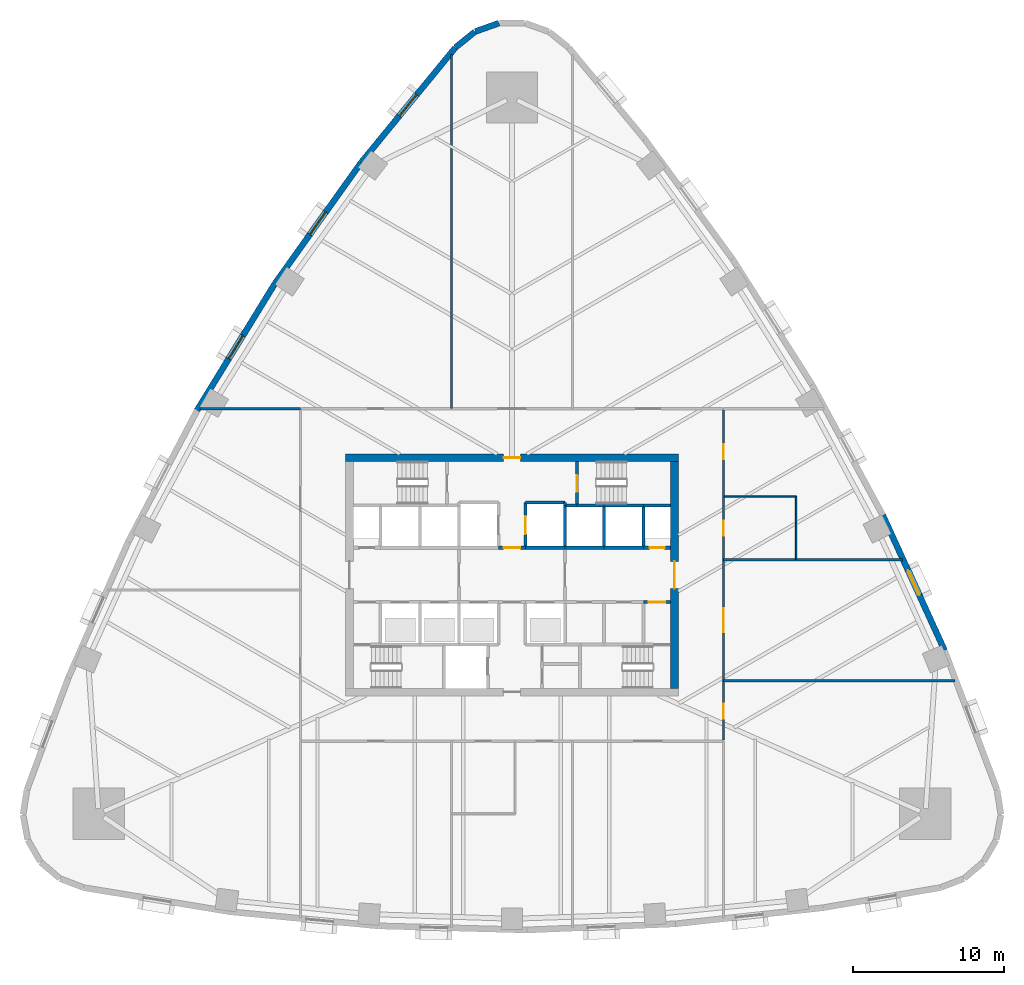
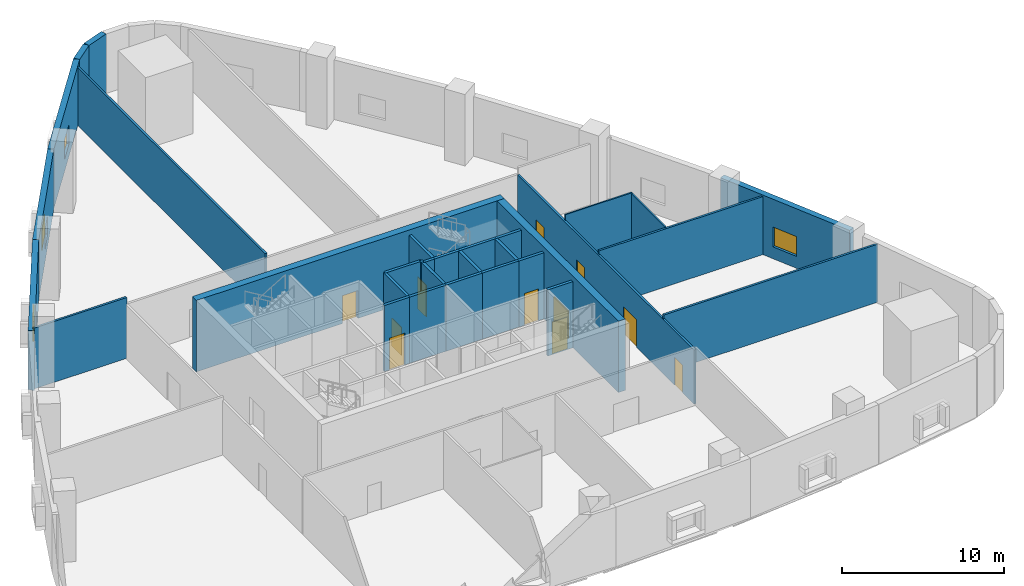
# One storey, part 5 of 11: 32 walls, 11 doors, 4 windows, 15 openings.
"""IFC4 building model written with IfcOpenShell, lengths in metres."""

from ifc_helpers import new_model, si_unit, direction, frame, frame_2d, origin, place, context, subcontext, project, spatial, rectangle, extrude, material, layer, layer_set, type_object, element, fill, save


model = new_model("IFC4")

# Units and contexts
model_context = context("Model", 3, precision=1e-05, world=origin(), true_north=direction((0.0, 1.0)))
body_context = subcontext(model_context, "Body", "Model", "MODEL_VIEW")
ifc_project = project(units=[si_unit("LENGTHUNIT", "METRE"), si_unit("AREAUNIT", "SQUARE_METRE"), si_unit("VOLUMEUNIT", "CUBIC_METRE"), si_unit("PLANEANGLEUNIT", "RADIAN"), si_unit("MASSUNIT", "GRAM", prefix="KILO")], contexts=[model_context])

# Site, building, storey
site_placement = place(None, origin())
site = spatial("IfcSite", under=ifc_project, at=site_placement, CompositionType="ELEMENT")
building_placement = place(site_placement, origin())
building = spatial("IfcBuilding", under=site, at=building_placement, Name="Sierra Prisma Convention Tower", CompositionType="ELEMENT")
storey_placement = place(building_placement, frame((0.0, 0.0, 28.800048828125)))
storey = spatial("IfcBuildingStorey", under=building, at=storey_placement, Name="L04", CompositionType="ELEMENT", Elevation=28.800048828125)

# Walls
ifc_material_1 = material(Name="Gypsum board partition", Category="gypsum")
ifc_layer_1 = layer(ifc_material_1, 0.10009765625)
ifc_layer_set_1 = layer_set([ifc_layer_1], Name="Bathroom partition 100")
wall_type_1 = type_object("IfcWallType", Name="Bathroom partition 100", PredefinedType="PARTITIONING", material=ifc_layer_set_1)
wall_1_placement = place(storey_placement, frame((14.030029296875, 5.199951171875, 0.0), z_axis=(0.0, 0.0, 1.0), x_axis=(1.0, 0.0, 0.0)))
element("IfcWall", 1, at=wall_1_placement, inside=storey, type_object=wall_type_1, Name="Partition L04 bath 3", PredefinedType="PARTITIONING", context=body_context, shape_type="SweptSolid", body=[
    extrude(rectangle(XDim=4.77001953125, YDim=0.10009765625, at=frame_2d((2.385009765625, 0.0))), origin(), (0.0, 0.0, 1.0), 4.54296875),
])
wall_2_placement = place(storey_placement, frame((18.800048828125, 5.199951171875, 0.0), z_axis=(0.0, 0.0, 1.0), x_axis=(0.0, -1.0, 0.0)))
element("IfcWall", 2, at=wall_2_placement, inside=storey, type_object=wall_type_1, Name="Partition L04 bath 4", PredefinedType="PARTITIONING", context=body_context, shape_type="SweptSolid", body=[
    extrude(rectangle(XDim=4.169921875, YDim=0.10009765625, at=frame_2d((2.0849609375, 0.0))), origin(), (0.0, 0.0, 1.0), 4.467041015625),
])

# Wall, opening, door
ifc_material_2 = material(Name="Concrete C30/37", Category="concrete")
ifc_layer_2 = layer(ifc_material_2, 0.199951171875)
ifc_layer_set_2 = layer_set([ifc_layer_2], Name="Core wall RC 200 C30/37")
wall_type_2 = type_object("IfcWallType", Name="Core wall RC 200 C30/37", PredefinedType="SOLIDWALL", material=ifc_layer_set_2)
wall_3_placement = place(storey_placement, frame((0.89990234375, 1.800048828125, 0.0), z_axis=(0.0, 0.0, 1.0), x_axis=(-1.0, 0.0, 0.0)))
wall_3 = element("IfcWall", 3, at=wall_3_placement, inside=storey, type_object=wall_type_2, Name="Core wall L04 34", PredefinedType="SOLIDWALL", context=body_context, shape_type="SweptSolid", body=[
    extrude(rectangle(XDim=1.7998046875, YDim=0.199951171875, at=frame_2d((0.89990234375, 0.0))), origin(), (0.0, 0.0, 1.0), 5.0),
])
opening_1_placement = place(wall_3_placement, frame((0.35009765625, 0.0, 0.0)))
opening_1 = element("IfcOpeningElement", 4, at=opening_1_placement, cuts=wall_3, Name="Opening L04-D012", PredefinedType="OPENING", context=body_context, shape_type="SweptSolid", body=[
    extrude(rectangle(XDim=1.10009765625, YDim=2.39990234375, at=frame_2d((0.550048828125, 1.199951171875))), frame((0.0, 0.10009765625, 0.0), z_axis=(0.0, -1.0, 0.0), x_axis=(1.0, 0.0, 0.0)), (0.0, 0.0, 1.0), 0.199951171875),
])
ifc_material_3 = material(Name="Steel fire door leaf", Category="steel")
door_type_1 = type_object("IfcDoorType", Name="Door 1100x2400 FD60S", OperationType="SINGLE_SWING_LEFT", PredefinedType="DOOR", material=ifc_material_3)
door_1_placement = place(opening_1_placement, origin())
door_1 = element("IfcDoor", 5, at=door_1_placement, inside=storey, type_object=door_type_1, Name="Door L04 25", OperationType="SINGLE_SWING_LEFT", OverallHeight=2.39990234375, OverallWidth=1.10009765625, PredefinedType="DOOR", context=body_context, shape_type="SweptSolid", body=[
    extrude(rectangle(XDim=1.10009765625, YDim=2.39990234375, at=frame_2d((0.550048828125, 1.199951171875))), frame((0.0, 0.02490234375, 0.0), z_axis=(0.0, -1.0, 0.0), x_axis=(1.0, 0.0, 0.0)), (0.0, 0.0, 1.0), 0.050048828125),
])
fill(opening_1, door_1)

# Walls
wall_4_placement = place(storey_placement, frame((3.5, 1.800048828125, 0.0), z_axis=(0.0, 0.0, 1.0), x_axis=(-1.0, 0.0, 0.0)))
element("IfcWall", 6, at=wall_4_placement, inside=storey, type_object=wall_type_2, Name="Core wall L04 38", PredefinedType="SOLIDWALL", context=body_context, shape_type="SweptSolid", body=[
    extrude(rectangle(XDim=2.60009765625, YDim=0.199951171875, at=frame_2d((1.300048828125, 0.0))), origin(), (0.0, 0.0, 1.0), 5.0),
])
wall_5_placement = place(storey_placement, frame((3.5, 4.60009765625, 0.0), z_axis=(0.0, 0.0, 1.0), x_axis=(0.0, 1.0, 0.0)))
element("IfcWall", 7, at=wall_5_placement, inside=storey, type_object=wall_type_2, Name="Core wall L04 39", PredefinedType="SOLIDWALL", context=body_context, shape_type="SweptSolid", body=[
    extrude(rectangle(XDim=0.199951171875, YDim=0.199951171875, at=frame_2d((0.10009765625, 0.0))), origin(), (0.0, 0.0, 1.0), 5.0),
])
wall_6_placement = place(storey_placement, frame((3.5, 4.800048828125, 0.0), z_axis=(0.0, 0.0, 1.0), x_axis=(-1.0, 0.0, 0.0)))
element("IfcWall", 8, at=wall_6_placement, inside=storey, type_object=wall_type_2, Name="Core wall L04 40", PredefinedType="SOLIDWALL", context=body_context, shape_type="SweptSolid", body=[
    extrude(rectangle(XDim=2.60009765625, YDim=0.199951171875, at=frame_2d((1.300048828125, 0.0))), origin(), (0.0, 0.0, 1.0), 5.0),
])

# Wall, opening, door
wall_7_placement = place(storey_placement, frame((0.89990234375, 4.800048828125, 0.0), z_axis=(0.0, 0.0, 1.0), x_axis=(0.0, -1.0, 0.0)))
wall_7 = element("IfcWall", 9, at=wall_7_placement, inside=storey, type_object=wall_type_2, Name="Core wall L04 41", PredefinedType="SOLIDWALL", context=body_context, shape_type="SweptSolid", body=[
    extrude(rectangle(XDim=3.0, YDim=0.199951171875, at=frame_2d((1.5, 0.0))), origin(), (0.0, 0.0, 1.0), 5.0),
])
opening_2_placement = place(wall_7_placement, frame((0.89990234375, 0.0, 0.0)))
opening_2 = element("IfcOpeningElement", 10, at=opening_2_placement, cuts=wall_7, Name="Opening L04-D006", PredefinedType="OPENING", context=body_context, shape_type="SweptSolid", body=[
    extrude(rectangle(XDim=1.199951171875, YDim=2.10009765625, at=frame_2d((0.60009765625, 1.050048828125))), frame((0.0, 0.10009765625, 0.0), z_axis=(0.0, -1.0, 0.0), x_axis=(1.0, 0.0, 0.0)), (0.0, 0.0, 1.0), 0.199951171875),
])
ifc_material_4 = material(Name="Steel fire door leaf", Category="steel")
door_type_2 = type_object("IfcDoorType", Name="Door 1200x2100 EI 90 sliding lift landing", OperationType="SLIDING_TO_LEFT", PredefinedType="DOOR", material=ifc_material_4)
door_2_placement = place(opening_2_placement, origin())
door_2 = element("IfcDoor", 11, at=door_2_placement, inside=storey, type_object=door_type_2, Name="Door L04 19", OperationType="SLIDING_TO_RIGHT", OverallHeight=2.10009765625, OverallWidth=1.199951171875, PredefinedType="DOOR", context=body_context, shape_type="SweptSolid", body=[
    extrude(rectangle(XDim=1.199951171875, YDim=2.10009765625, at=frame_2d((0.60009765625, 1.050048828125))), frame((0.0, 0.02490234375, 0.0), z_axis=(0.0, -1.0, 0.0), x_axis=(1.0, 0.0, 0.0)), (0.0, 0.0, 1.0), 0.050048828125),
])
fill(opening_2, door_2)

# Walls
wall_8_placement = place(storey_placement, frame((6.10009765625, 1.800048828125, 0.0), z_axis=(0.0, 0.0, 1.0), x_axis=(-1.0, 0.0, 0.0)))
element("IfcWall", 12, at=wall_8_placement, inside=storey, type_object=wall_type_2, Name="Core wall L04 50", PredefinedType="SOLIDWALL", context=body_context, shape_type="SweptSolid", body=[
    extrude(rectangle(XDim=2.60009765625, YDim=0.199951171875, at=frame_2d((1.300048828125, 0.0))), origin(), (0.0, 0.0, 1.0), 5.0),
])
wall_9_placement = place(storey_placement, frame((3.5, 1.800048828125, 0.0), z_axis=(0.0, 0.0, 1.0), x_axis=(0.0, 1.0, 0.0)))
element("IfcWall", 13, at=wall_9_placement, inside=storey, type_object=wall_type_2, Name="Core wall L04 51", PredefinedType="SOLIDWALL", context=body_context, shape_type="SweptSolid", body=[
    extrude(rectangle(XDim=2.800048828125, YDim=0.199951171875, at=frame_2d((1.39990234375, 0.0))), origin(), (0.0, 0.0, 1.0), 5.0),
])
wall_10_placement = place(storey_placement, frame((4.300048828125, 4.60009765625, 0.0), z_axis=(0.0, 0.0, 1.0), x_axis=(-1.0, 0.0, 0.0)))
element("IfcWall", 14, at=wall_10_placement, inside=storey, type_object=wall_type_2, Name="Core wall L04 52", PredefinedType="SOLIDWALL", context=body_context, shape_type="SweptSolid", body=[
    extrude(rectangle(XDim=0.800048828125, YDim=0.199951171875, at=frame_2d((0.39990234375, 0.0))), origin(), (0.0, 0.0, 1.0), 5.0),
])
wall_11_placement = place(storey_placement, frame((6.10009765625, 4.60009765625, 0.0), z_axis=(0.0, 0.0, 1.0), x_axis=(-1.0, 0.0, 0.0)))
element("IfcWall", 15, at=wall_11_placement, inside=storey, type_object=wall_type_2, Name="Core wall L04 53", PredefinedType="SOLIDWALL", context=body_context, shape_type="SweptSolid", body=[
    extrude(rectangle(XDim=1.800048828125, YDim=0.199951171875, at=frame_2d((0.89990234375, 0.0))), origin(), (0.0, 0.0, 1.0), 5.0),
])

# Wall, opening, door
wall_12_placement = place(storey_placement, frame((4.300048828125, 7.5, 0.0), z_axis=(0.0, 0.0, 1.0), x_axis=(0.0, -1.0, 0.0)))
wall_12 = element("IfcWall", 16, at=wall_12_placement, inside=storey, type_object=wall_type_2, Name="Core wall L04 54", PredefinedType="SOLIDWALL", context=body_context, shape_type="SweptSolid", body=[
    extrude(rectangle(XDim=2.89990234375, YDim=0.199951171875, at=frame_2d((1.449951171875, 0.0))), origin(), (0.0, 0.0, 1.0), 5.0),
])
opening_3_placement = place(wall_12_placement, frame((0.89990234375, 0.0, 0.0)))
opening_3 = element("IfcOpeningElement", 17, at=opening_3_placement, cuts=wall_12, Name="Opening L04-D019", PredefinedType="OPENING", context=body_context, shape_type="SweptSolid", body=[
    extrude(rectangle(XDim=1.10009765625, YDim=2.39990234375, at=frame_2d((0.550048828125, 1.199951171875))), frame((0.0, 0.10009765625, 0.0), z_axis=(0.0, -1.0, 0.0), x_axis=(1.0, 0.0, 0.0)), (0.0, 0.0, 1.0), 0.199951171875),
])
ifc_material_5 = material(Name="Steel fire door leaf", Category="steel")
door_type_3 = type_object("IfcDoorType", Name="Door 1100x2400 FD90S", OperationType="SINGLE_SWING_LEFT", PredefinedType="DOOR", material=ifc_material_5)
door_3_placement = place(opening_3_placement, origin())
door_3 = element("IfcDoor", 18, at=door_3_placement, inside=storey, type_object=door_type_3, Name="Door L04 32", OperationType="SINGLE_SWING_RIGHT", OverallHeight=2.39990234375, OverallWidth=1.10009765625, PredefinedType="DOOR", context=body_context, shape_type="SweptSolid", body=[
    extrude(rectangle(XDim=1.10009765625, YDim=2.39990234375, at=frame_2d((0.550048828125, 1.199951171875))), frame((0.0, 0.02490234375, 0.0), z_axis=(0.0, -1.0, 0.0), x_axis=(1.0, 0.0, 0.0)), (0.0, 0.0, 1.0), 0.050048828125),
])
fill(opening_3, door_3)

# Walls
wall_13_placement = place(storey_placement, frame((8.699951171875, 1.800048828125, 0.0), z_axis=(0.0, 0.0, 1.0), x_axis=(-1.0, 0.0, 0.0)))
element("IfcWall", 19, at=wall_13_placement, inside=storey, type_object=wall_type_2, Name="Core wall L04 61", PredefinedType="SOLIDWALL", context=body_context, shape_type="SweptSolid", body=[
    extrude(rectangle(XDim=2.599853515625, YDim=0.199951171875, at=frame_2d((1.2998046875, 0.0))), origin(), (0.0, 0.0, 1.0), 5.0),
])
wall_14_placement = place(storey_placement, frame((6.10009765625, 1.800048828125, 0.0), z_axis=(0.0, 0.0, 1.0), x_axis=(0.0, 1.0, 0.0)))
element("IfcWall", 20, at=wall_14_placement, inside=storey, type_object=wall_type_2, Name="Core wall L04 62", PredefinedType="SOLIDWALL", context=body_context, shape_type="SweptSolid", body=[
    extrude(rectangle(XDim=2.800048828125, YDim=0.199951171875, at=frame_2d((1.39990234375, 0.0))), origin(), (0.0, 0.0, 1.0), 5.0),
])
wall_15_placement = place(storey_placement, frame((8.699951171875, 4.60009765625, 0.0), z_axis=(0.0, 0.0, 1.0), x_axis=(-1.0, 0.0, 0.0)))
element("IfcWall", 21, at=wall_15_placement, inside=storey, type_object=wall_type_2, Name="Core wall L04 63", PredefinedType="SOLIDWALL", context=body_context, shape_type="SweptSolid", body=[
    extrude(rectangle(XDim=2.599853515625, YDim=0.199951171875, at=frame_2d((1.2998046875, 0.0))), origin(), (0.0, 0.0, 1.0), 5.0),
])

# Wall, opening, door
wall_16_placement = place(storey_placement, frame((8.699951171875, -1.800048828125, 0.0), z_axis=(0.0, 0.0, 1.0), x_axis=(1.0, 0.0, 0.0)))
wall_16 = element("IfcWall", 22, at=wall_16_placement, inside=storey, type_object=wall_type_2, Name="Core wall L04 66", PredefinedType="SOLIDWALL", context=body_context, shape_type="SweptSolid", body=[
    extrude(rectangle(XDim=1.800048828125, YDim=0.199951171875, at=frame_2d((0.89990234375, 0.0))), origin(), (0.0, 0.0, 1.0), 5.0),
])
opening_4_placement = place(wall_16_placement, frame((0.35009765625, 0.0, 0.0)))
opening_4 = element("IfcOpeningElement", 23, at=opening_4_placement, cuts=wall_16, Name="Opening L04-D011", PredefinedType="OPENING", context=body_context, shape_type="SweptSolid", body=[
    extrude(rectangle(XDim=1.10009765625, YDim=2.39990234375, at=frame_2d((0.550048828125, 1.199951171875))), frame((0.0, 0.10009765625, 0.0), z_axis=(0.0, -1.0, 0.0), x_axis=(1.0, 0.0, 0.0)), (0.0, 0.0, 1.0), 0.199951171875),
])
door_4_placement = place(opening_4_placement, origin())
door_4 = element("IfcDoor", 24, at=door_4_placement, inside=storey, type_object=door_type_3, Name="Door L04 24", OperationType="SINGLE_SWING_RIGHT", OverallHeight=2.39990234375, OverallWidth=1.10009765625, PredefinedType="DOOR", context=body_context, shape_type="SweptSolid", body=[
    extrude(rectangle(XDim=1.10009765625, YDim=2.39990234375, at=frame_2d((0.550048828125, 1.199951171875))), frame((0.0, 0.02490234375, 0.0), z_axis=(0.0, -1.0, 0.0), x_axis=(1.0, 0.0, 0.0)), (0.0, 0.0, 1.0), 0.050048828125),
])
fill(opening_4, door_4)

wall_17_placement = place(storey_placement, frame((10.5, 1.800048828125, 0.0), z_axis=(0.0, 0.0, 1.0), x_axis=(-1.0, 0.0, 0.0)))
wall_17 = element("IfcWall", 25, at=wall_17_placement, inside=storey, type_object=wall_type_2, Name="Core wall L04 67", PredefinedType="SOLIDWALL", context=body_context, shape_type="SweptSolid", body=[
    extrude(rectangle(XDim=1.800048828125, YDim=0.199951171875, at=frame_2d((0.89990234375, 0.0))), origin(), (0.0, 0.0, 1.0), 5.0),
])
opening_5_placement = place(wall_17_placement, frame((0.39990234375, 0.0, 0.0)))
opening_5 = element("IfcOpeningElement", 26, at=opening_5_placement, cuts=wall_17, Name="Opening L04-D015", PredefinedType="OPENING", context=body_context, shape_type="SweptSolid", body=[
    extrude(rectangle(XDim=1.0, YDim=2.39990234375, at=frame_2d((0.5, 1.199951171875))), frame((0.0, 0.10009765625, 0.0), z_axis=(0.0, -1.0, 0.0), x_axis=(1.0, 0.0, 0.0)), (0.0, 0.0, 1.0), 0.199951171875),
])
ifc_material_6 = material(Name="Steel fire door leaf", Category="steel")
door_type_4 = type_object("IfcDoorType", Name="Door 1000x2400 FD60S", OperationType="SINGLE_SWING_LEFT", PredefinedType="DOOR", material=ifc_material_6)
door_5_placement = place(opening_5_placement, origin())
door_5 = element("IfcDoor", 27, at=door_5_placement, inside=storey, type_object=door_type_4, Name="Door L04 28", OperationType="SINGLE_SWING_RIGHT", OverallHeight=2.39990234375, OverallWidth=1.0, PredefinedType="DOOR", context=body_context, shape_type="SweptSolid", body=[
    extrude(rectangle(XDim=1.0, YDim=2.39990234375, at=frame_2d((0.5, 1.199951171875))), frame((0.0, 0.02490234375, 0.0), z_axis=(0.0, -1.0, 0.0), x_axis=(1.0, 0.0, 0.0)), (0.0, 0.0, 1.0), 0.050048828125),
])
fill(opening_5, door_5)

# Walls
wall_18_placement = place(storey_placement, frame((8.699951171875, 4.60009765625, 0.0), z_axis=(0.0, 0.0, 1.0), x_axis=(0.0, -1.0, 0.0)))
element("IfcWall", 28, at=wall_18_placement, inside=storey, type_object=wall_type_2, Name="Core wall L04 68", PredefinedType="SOLIDWALL", context=body_context, shape_type="SweptSolid", body=[
    extrude(rectangle(XDim=2.800048828125, YDim=0.199951171875, at=frame_2d((1.39990234375, 0.0))), origin(), (0.0, 0.0, 1.0), 5.0),
])
wall_19_placement = place(storey_placement, frame((10.5, 4.60009765625, 0.0), z_axis=(0.0, 0.0, 1.0), x_axis=(-1.0, 0.0, 0.0)))
element("IfcWall", 29, at=wall_19_placement, inside=storey, type_object=wall_type_2, Name="Core wall L04 69", PredefinedType="SOLIDWALL", context=body_context, shape_type="SweptSolid", body=[
    extrude(rectangle(XDim=1.800048828125, YDim=0.199951171875, at=frame_2d((0.89990234375, 0.0))), origin(), (0.0, 0.0, 1.0), 5.0),
])

# Wall, opening, door
ifc_material_7 = material(Name="Concrete C70/85", Category="concrete")
ifc_layer_3 = layer(ifc_material_7, 0.5)
ifc_layer_set_3 = layer_set([ifc_layer_3], Name="Core wall RC 500 C70/85")
wall_type_3 = type_object("IfcWallType", Name="Core wall RC 500 C70/85", PredefinedType="SHEAR", material=ifc_layer_set_3)
wall_20_placement = place(storey_placement, frame((-11.0, 7.75, 0.0), z_axis=(0.0, 0.0, 1.0), x_axis=(1.0, 0.0, 0.0)))
wall_20 = element("IfcWall", 30, at=wall_20_placement, inside=storey, type_object=wall_type_3, Name="Core wall N L04", PredefinedType="SHEAR", context=body_context, shape_type="SweptSolid", body=[
    extrude(rectangle(XDim=22.0, YDim=0.5, at=frame_2d((11.0, 0.0))), origin(), (0.0, 0.0, 1.0), 5.39990234375),
])
opening_6_placement = place(wall_20_placement, frame((10.449951171875, 0.0, 0.0)))
opening_6 = element("IfcOpeningElement", 31, at=opening_6_placement, cuts=wall_20, Name="Opening L04-D038", PredefinedType="OPENING", context=body_context, shape_type="SweptSolid", body=[
    extrude(rectangle(XDim=1.10009765625, YDim=2.10009765625, at=frame_2d((0.550048828125, 1.050048828125))), frame((0.0, 0.25, 0.0), z_axis=(0.0, -1.0, 0.0), x_axis=(1.0, 0.0, 0.0)), (0.0, 0.0, 1.0), 0.5),
])
ifc_material_8 = material(Name="Steel fire door leaf", Category="steel")
door_type_5 = type_object("IfcDoorType", Name="Door 1100x2100 FD60S", OperationType="SINGLE_SWING_LEFT", PredefinedType="DOOR", material=ifc_material_8)
door_6_placement = place(opening_6_placement, origin())
door_6 = element("IfcDoor", 32, at=door_6_placement, inside=storey, type_object=door_type_5, Name="Door L04 39", OperationType="SINGLE_SWING_RIGHT", OverallHeight=2.10009765625, OverallWidth=1.10009765625, PredefinedType="DOOR", context=body_context, shape_type="SweptSolid", body=[
    extrude(rectangle(XDim=1.10009765625, YDim=2.10009765625, at=frame_2d((0.550048828125, 1.050048828125))), frame((0.0, 0.02490234375, 0.0), z_axis=(0.0, -1.0, 0.0), x_axis=(1.0, 0.0, 0.0)), (0.0, 0.0, 1.0), 0.050048828125),
])
fill(opening_6, door_6)

wall_21_placement = place(storey_placement, frame((10.75, -7.5, 0.0), z_axis=(0.0, 0.0, 1.0), x_axis=(0.0, 1.0, 0.0)))
wall_21 = element("IfcWall", 33, at=wall_21_placement, inside=storey, type_object=wall_type_3, Name="Core wall E L04", PredefinedType="SHEAR", context=body_context, shape_type="SweptSolid", body=[
    extrude(rectangle(XDim=15.0, YDim=0.5, at=frame_2d((7.5, 0.0))), origin(), (0.0, 0.0, 1.0), 5.39990234375),
])
opening_7_placement = place(wall_21_placement, frame((6.60009765625, 0.0, 0.0)))
opening_7 = element("IfcOpeningElement", 34, at=opening_7_placement, cuts=wall_21, Name="Opening L04-D037", PredefinedType="OPENING", context=body_context, shape_type="SweptSolid", body=[
    extrude(rectangle(XDim=1.800048828125, YDim=2.10009765625, at=frame_2d((0.89990234375, 1.050048828125))), frame((0.0, 0.25, 0.0), z_axis=(0.0, -1.0, 0.0), x_axis=(1.0, 0.0, 0.0)), (0.0, 0.0, 1.0), 0.5),
])
ifc_material_9 = material(Name="Steel fire door leaf", Category="steel")
door_type_6 = type_object("IfcDoorType", Name="Door 1800x2100 FD60S", OperationType="DOUBLE_DOOR_SINGLE_SWING", PredefinedType="DOOR", material=ifc_material_9)
door_7_placement = place(opening_7_placement, origin())
door_7 = element("IfcDoor", 35, at=door_7_placement, inside=storey, type_object=door_type_6, Name="Door L04 38", OperationType="DOUBLE_DOOR_SINGLE_SWING", OverallHeight=2.10009765625, OverallWidth=1.800048828125, PredefinedType="DOOR", context=body_context, shape_type="SweptSolid", body=[
    extrude(rectangle(XDim=1.800048828125, YDim=2.10009765625, at=frame_2d((0.89990234375, 1.050048828125))), frame((0.0, 0.02490234375, 0.0), z_axis=(0.0, -1.0, 0.0), x_axis=(1.0, 0.0, 0.0)), (0.0, 0.0, 1.0), 0.050048828125),
])
fill(opening_7, door_7)

# Wall, openings, doors
ifc_material_10 = material(Name="Gypsum board partition", Category="gypsum")
ifc_layer_4 = layer(ifc_material_10, 0.14990234375)
ifc_layer_set_4 = layer_set([ifc_layer_4], Name="Corridor wall 150 gypsum EI 60")
wall_type_4 = type_object("IfcWallType", Name="Corridor wall 150 gypsum EI 60", PredefinedType="PARTITIONING", material=ifc_layer_set_4)
wall_22_placement = place(storey_placement, frame((14.0, -10.919921875, 0.0), z_axis=(0.0, 0.0, 1.0), x_axis=(0.0, 1.0, 0.0)))
wall_22 = element("IfcWall", 36, at=wall_22_placement, inside=storey, type_object=wall_type_4, Name="Partition L04 corr 4", PredefinedType="PARTITIONING", context=body_context, shape_type="SweptSolid", body=[
    extrude(rectangle(XDim=21.83984375, YDim=0.14990234375, at=frame_2d((10.919921875, 0.0))), origin(), (0.0, 0.0, 1.0), 4.096923828125),
])
opening_8_placement = place(wall_22_placement, frame((13.52001953125, 0.0, 0.0)))
opening_8 = element("IfcOpeningElement", 37, at=opening_8_placement, cuts=wall_22, Name="Opening L04-D024", PredefinedType="OPENING", context=body_context, shape_type="SweptSolid", body=[
    extrude(rectangle(XDim=1.0, YDim=2.10009765625, at=frame_2d((0.5, 1.050048828125))), frame((0.0, 0.074951171875, 0.0), z_axis=(0.0, -1.0, 0.0), x_axis=(1.0, 0.0, 0.0)), (0.0, 0.0, 1.0), 0.14990234375),
])
opening_9_placement = place(wall_22_placement, frame((18.570068359375, 0.0, 0.0)))
opening_9 = element("IfcOpeningElement", 38, at=opening_9_placement, cuts=wall_22, Name="Opening L04-D025", PredefinedType="OPENING", context=body_context, shape_type="SweptSolid", body=[
    extrude(rectangle(XDim=1.0, YDim=2.10009765625, at=frame_2d((0.5, 1.050048828125))), frame((0.0, 0.074951171875, 0.0), z_axis=(0.0, -1.0, 0.0), x_axis=(1.0, 0.0, 0.0)), (0.0, 0.0, 1.0), 0.14990234375),
])
opening_10_placement = place(wall_22_placement, frame((1.409912109375, 0.0, 0.0)))
opening_10 = element("IfcOpeningElement", 39, at=opening_10_placement, cuts=wall_22, Name="Opening L04-D035", PredefinedType="OPENING", context=body_context, shape_type="SweptSolid", body=[
    extrude(rectangle(XDim=1.0, YDim=2.10009765625, at=frame_2d((0.5, 1.050048828125))), frame((0.0, 0.074951171875, 0.0), z_axis=(0.0, -1.0, 0.0), x_axis=(1.0, 0.0, 0.0)), (0.0, 0.0, 1.0), 0.14990234375),
])
opening_11_placement = place(wall_22_placement, frame((7.1201171875, 0.0, 0.0)))
opening_11 = element("IfcOpeningElement", 40, at=opening_11_placement, cuts=wall_22, Name="Opening L04-D036", PredefinedType="OPENING", context=body_context, shape_type="SweptSolid", body=[
    extrude(rectangle(XDim=1.60009765625, YDim=2.10009765625, at=frame_2d((0.800048828125, 1.050048828125))), frame((0.0, 0.074951171875, 0.0), z_axis=(0.0, -1.0, 0.0), x_axis=(1.0, 0.0, 0.0)), (0.0, 0.0, 1.0), 0.14990234375),
])
ifc_material_11 = material(Name="Steel fire door leaf", Category="steel")
door_type_7 = type_object("IfcDoorType", Name="Door 1000x2100 FD30S", OperationType="SINGLE_SWING_LEFT", PredefinedType="DOOR", material=ifc_material_11)
door_8_placement = place(opening_8_placement, origin())
door_8 = element("IfcDoor", 41, at=door_8_placement, inside=storey, type_object=door_type_7, Name="Door L04 1", OperationType="SINGLE_SWING_RIGHT", OverallHeight=2.10009765625, OverallWidth=1.0, PredefinedType="DOOR", context=body_context, shape_type="SweptSolid", body=[
    extrude(rectangle(XDim=1.0, YDim=2.10009765625, at=frame_2d((0.5, 1.050048828125))), frame((0.0, 0.02490234375, 0.0), z_axis=(0.0, -1.0, 0.0), x_axis=(1.0, 0.0, 0.0)), (0.0, 0.0, 1.0), 0.050048828125),
])
fill(opening_8, door_8)
door_9_placement = place(opening_9_placement, origin())
door_9 = element("IfcDoor", 42, at=door_9_placement, inside=storey, type_object=door_type_7, Name="Door L04 2", OperationType="SINGLE_SWING_RIGHT", OverallHeight=2.10009765625, OverallWidth=1.0, PredefinedType="DOOR", context=body_context, shape_type="SweptSolid", body=[
    extrude(rectangle(XDim=1.0, YDim=2.10009765625, at=frame_2d((0.5, 1.050048828125))), frame((0.0, 0.02490234375, 0.0), z_axis=(0.0, -1.0, 0.0), x_axis=(1.0, 0.0, 0.0)), (0.0, 0.0, 1.0), 0.050048828125),
])
fill(opening_9, door_9)
door_10_placement = place(opening_10_placement, origin())
door_10 = element("IfcDoor", 43, at=door_10_placement, inside=storey, type_object=door_type_7, Name="Door L04 12", OperationType="SINGLE_SWING_LEFT", OverallHeight=2.10009765625, OverallWidth=1.0, PredefinedType="DOOR", context=body_context, shape_type="SweptSolid", body=[
    extrude(rectangle(XDim=1.0, YDim=2.10009765625, at=frame_2d((0.5, 1.050048828125))), frame((0.0, 0.02490234375, 0.0), z_axis=(0.0, -1.0, 0.0), x_axis=(1.0, 0.0, 0.0)), (0.0, 0.0, 1.0), 0.050048828125),
])
fill(opening_10, door_10)
ifc_material_12 = material(Name="Steel fire door leaf", Category="steel")
door_type_8 = type_object("IfcDoorType", Name="Door 1600x2100 FD30S", OperationType="DOUBLE_DOOR_SINGLE_SWING", PredefinedType="DOOR", material=ifc_material_12)
door_11_placement = place(opening_11_placement, origin())
door_11 = element("IfcDoor", 44, at=door_11_placement, inside=storey, type_object=door_type_8, Name="Door L04 13", OperationType="DOUBLE_DOOR_SINGLE_SWING", OverallHeight=2.10009765625, OverallWidth=1.60009765625, PredefinedType="DOOR", context=body_context, shape_type="SweptSolid", body=[
    extrude(rectangle(XDim=1.60009765625, YDim=2.10009765625, at=frame_2d((0.800048828125, 1.050048828125))), frame((0.0, 0.02490234375, 0.0), z_axis=(0.0, -1.0, 0.0), x_axis=(1.0, 0.0, 0.0)), (0.0, 0.0, 1.0), 0.050048828125),
])
fill(opening_11, door_11)

# Walls
ifc_material_13 = material(Name="Gypsum board partition", Category="gypsum")
ifc_layer_5 = layer(ifc_material_13, 0.14990234375)
ifc_layer_set_5 = layer_set([ifc_layer_5], Name="Party wall 150 gypsum")
wall_type_5 = type_object("IfcWallType", Name="Party wall 150 gypsum", PredefinedType="PARTITIONING", material=ifc_layer_set_5)
wall_23_placement = place(storey_placement, frame((-14.0, 11.0, 0.0), z_axis=(0.0, 0.0, 1.0), x_axis=(-1.0, 0.0, 0.0)))
element("IfcWall", 45, at=wall_23_placement, inside=storey, type_object=wall_type_5, Name="Partition L04 party 2", PredefinedType="PARTITIONING", context=body_context, shape_type="SweptSolid", body=[
    extrude(rectangle(XDim=6.64208984375, YDim=0.14990234375, at=frame_2d((3.321044921875, 0.0))), origin(), (0.0, 0.0, 1.0), 4.599853515625),
])
wall_24_placement = place(storey_placement, frame((-4.0, 11.0, 0.0), z_axis=(0.0, 0.0, 1.0), x_axis=(0.0, 1.0, 0.0)))
element("IfcWall", 46, at=wall_24_placement, inside=storey, type_object=wall_type_5, Name="Partition L04 party 5", PredefinedType="PARTITIONING", context=body_context, shape_type="SweptSolid", body=[
    extrude(rectangle(XDim=23.422607421875, YDim=0.14990234375, at=frame_2d((11.71142578125, 0.0))), origin(), (0.0, 0.0, 1.0), 4.384033203125),
])
wall_25_placement = place(storey_placement, frame((14.0, -7.0, 0.0), z_axis=(0.0, 0.0, 1.0), x_axis=(1.0, 0.0, 0.0)))
element("IfcWall", 47, at=wall_25_placement, inside=storey, type_object=wall_type_5, Name="Partition L04 party 9", PredefinedType="PARTITIONING", context=body_context, shape_type="SweptSolid", body=[
    extrude(rectangle(XDim=15.31298828125, YDim=0.14990234375, at=frame_2d((7.656494140625, 0.0))), origin(), (0.0, 0.0, 1.0), 4.384033203125),
])
wall_26_placement = place(storey_placement, frame((25.834716796875, 1.0, 0.0), z_axis=(0.0, 0.0, 1.0), x_axis=(-1.0, 0.0, 0.0)))
element("IfcWall", 48, at=wall_26_placement, inside=storey, type_object=wall_type_5, Name="Partition L04 party 10", PredefinedType="PARTITIONING", context=body_context, shape_type="SweptSolid", body=[
    extrude(rectangle(XDim=11.834716796875, YDim=0.14990234375, at=frame_2d((5.91748046875, 0.0))), origin(), (0.0, 0.0, 1.0), 4.384033203125),
])

# Wall, opening, window
ifc_material_14 = material(Name="Concrete C40/50, terracotta plaster finish", Category="masonry")
ifc_layer_6 = layer(ifc_material_14, 0.39990234375)
ifc_layer_set_6 = layer_set([ifc_layer_6], Name="Podium plastered wall 400")
wall_type_6 = type_object("IfcWallType", Name="Podium plastered wall 400", PredefinedType="STANDARD", material=ifc_layer_set_6)
wall_27_placement = place(storey_placement, frame((24.541259765625, 3.951171875, 0.0), z_axis=(0.0, 0.0, 1.0), x_axis=(0.415399179946, -0.909639225902, 0.0)))
wall_27 = element("IfcWall", 49, at=wall_27_placement, inside=storey, type_object=wall_type_6, Name="Podium wall L04 6", PredefinedType="STANDARD", context=body_context, shape_type="SweptSolid", body=[
    extrude(rectangle(XDim=9.82568359375, YDim=0.39990234375, at=frame_2d((4.912841796875, 0.0))), origin(), (0.0, 0.0, 1.0), 4.5),
])
opening_12_placement = place(wall_27_placement, frame((4.0, 0.0, 0.89990234375)))
opening_12 = element("IfcOpeningElement", 50, at=opening_12_placement, cuts=wall_27, Name="Opening L04-W02", PredefinedType="OPENING", context=body_context, shape_type="SweptSolid", body=[
    extrude(rectangle(XDim=1.800048828125, YDim=1.5, at=frame_2d((0.89990234375, 0.75))), frame((0.0, 0.199951171875, 0.0), z_axis=(0.0, -1.0, 0.0), x_axis=(1.0, 0.0, 0.0)), (0.0, 0.0, 1.0), 0.39990234375),
])
ifc_material_15 = material(Name="Tinted glass, bronze aluminium frame", Category="aluminium")
window_type = type_object("IfcWindowType", Name="Podium meeting window 1800 x 1500", PartitioningType="DOUBLE_PANEL_VERTICAL", PredefinedType="WINDOW", material=ifc_material_15)
window_1_placement = place(opening_12_placement, origin())
window_1 = element("IfcWindow", 51, at=window_1_placement, inside=storey, type_object=window_type, Name="Meeting window", OverallHeight=1.5, OverallWidth=1.800048828125, PartitioningType="SINGLE_PANEL", PredefinedType="WINDOW", context=body_context, shape_type="SweptSolid", body=[
    extrude(rectangle(XDim=1.800048828125, YDim=1.5, at=frame_2d((0.89990234375, 0.75))), frame((0.0, 0.030029296875, 0.0), z_axis=(0.0, -1.0, 0.0), x_axis=(1.0, 0.0, 0.0)), (0.0, 0.0, 1.0), 0.06005859375),
])
fill(opening_12, window_1)

# Walls
wall_28_placement = place(storey_placement, frame((-2.426513671875, 35.959716796875, 0.0), z_axis=(0.0, 0.0, 1.0), x_axis=(0.942786347799, 0.333397514093, 0.0)))
element("IfcWall", 52, at=wall_28_placement, inside=storey, type_object=wall_type_6, Name="Podium wall L04 14", PredefinedType="STANDARD", context=body_context, shape_type="SweptSolid", body=[
    extrude(rectangle(XDim=1.65869140625, YDim=0.39990234375, at=frame_2d((0.829345703125, 0.0))), origin(), (0.0, 0.0, 1.0), 4.5),
])
wall_29_placement = place(storey_placement, frame((-3.736083984375, 34.908203125, 0.0), z_axis=(0.0, 0.0, 1.0), x_axis=(0.77769018818, 0.628647732207, 0.0)))
element("IfcWall", 53, at=wall_29_placement, inside=storey, type_object=wall_type_6, Name="Podium wall L04 15", PredefinedType="STANDARD", context=body_context, shape_type="SweptSolid", body=[
    extrude(rectangle(XDim=1.646240234375, YDim=0.39990234375, at=frame_2d((0.8232421875, 0.0))), origin(), (0.0, 0.0, 1.0), 4.5),
])

# Wall, opening, window
wall_30_placement = place(storey_placement, frame((-9.98876953125, 27.28662109375, 0.0), z_axis=(0.0, 0.0, 1.0), x_axis=(0.634103626557, 0.773248078424, 0.0)))
wall_30 = element("IfcWall", 54, at=wall_30_placement, inside=storey, type_object=wall_type_6, Name="Podium wall L04 16", PredefinedType="STANDARD", context=body_context, shape_type="SweptSolid", body=[
    extrude(rectangle(XDim=9.837890625, YDim=0.39990234375, at=frame_2d((4.9189453125, 0.0))), origin(), (0.0, 0.0, 1.0), 4.5),
])
opening_13_placement = place(wall_30_placement, frame((4.0, 0.0, 0.89990234375)))
opening_13 = element("IfcOpeningElement", 55, at=opening_13_placement, cuts=wall_30, Name="Opening L04-W07", PredefinedType="OPENING", context=body_context, shape_type="SweptSolid", body=[
    extrude(rectangle(XDim=1.800048828125, YDim=1.5, at=frame_2d((0.89990234375, 0.75))), frame((0.0, 0.199951171875, 0.0), z_axis=(0.0, -1.0, 0.0), x_axis=(1.0, 0.0, 0.0)), (0.0, 0.0, 1.0), 0.39990234375),
])
window_2_placement = place(opening_13_placement, origin())
window_2 = element("IfcWindow", 56, at=window_2_placement, inside=storey, type_object=window_type, Name="Meeting window", OverallHeight=1.5, OverallWidth=1.800048828125, PartitioningType="SINGLE_PANEL", PredefinedType="WINDOW", context=body_context, shape_type="SweptSolid", body=[
    extrude(rectangle(XDim=1.800048828125, YDim=1.5, at=frame_2d((0.89990234375, 0.75))), frame((0.0, 0.030029296875, 0.0), z_axis=(0.0, -1.0, 0.0), x_axis=(1.0, 0.0, 0.0)), (0.0, 0.0, 1.0), 0.06005859375),
])
fill(opening_13, window_2)

wall_31_placement = place(storey_placement, frame((-15.6923828125, 19.277587890625, 0.0), z_axis=(0.0, 0.0, 1.0), x_axis=(0.580062373049, 0.814572061498, 0.0)))
wall_31 = element("IfcWall", 57, at=wall_31_placement, inside=storey, type_object=wall_type_6, Name="Podium wall L04 17", PredefinedType="STANDARD", context=body_context, shape_type="SweptSolid", body=[
    extrude(rectangle(XDim=9.82568359375, YDim=0.39990234375, at=frame_2d((4.912841796875, 0.0))), origin(), (0.0, 0.0, 1.0), 4.5),
])
opening_14_placement = place(wall_31_placement, frame((4.0, 0.0, 0.89990234375)))
opening_14 = element("IfcOpeningElement", 58, at=opening_14_placement, cuts=wall_31, Name="Opening L04-W08", PredefinedType="OPENING", context=body_context, shape_type="SweptSolid", body=[
    extrude(rectangle(XDim=1.800048828125, YDim=1.5, at=frame_2d((0.89990234375, 0.75))), frame((0.0, 0.199951171875, 0.0), z_axis=(0.0, -1.0, 0.0), x_axis=(1.0, 0.0, 0.0)), (0.0, 0.0, 1.0), 0.39990234375),
])
window_3_placement = place(opening_14_placement, origin())
window_3 = element("IfcWindow", 59, at=window_3_placement, inside=storey, type_object=window_type, Name="Meeting window", OverallHeight=1.5, OverallWidth=1.800048828125, PartitioningType="SINGLE_PANEL", PredefinedType="WINDOW", context=body_context, shape_type="SweptSolid", body=[
    extrude(rectangle(XDim=1.800048828125, YDim=1.5, at=frame_2d((0.89990234375, 0.75))), frame((0.0, 0.030029296875, 0.0), z_axis=(0.0, -1.0, 0.0), x_axis=(1.0, 0.0, 0.0)), (0.0, 0.0, 1.0), 0.06005859375),
])
fill(opening_14, window_3)

wall_32_placement = place(storey_placement, frame((-20.838623046875, 10.899658203125, 0.0), z_axis=(0.0, 0.0, 1.0), x_axis=(0.523369396098, 0.85210590611, 0.0)))
wall_32 = element("IfcWall", 60, at=wall_32_placement, inside=storey, type_object=wall_type_6, Name="Podium wall L04 18", PredefinedType="STANDARD", context=body_context, shape_type="SweptSolid", body=[
    extrude(rectangle(XDim=9.825439453125, YDim=0.39990234375, at=frame_2d((4.91259765625, 0.0))), origin(), (0.0, 0.0, 1.0), 4.5),
])
opening_15_placement = place(wall_32_placement, frame((4.0, 0.0, 0.89990234375)))
opening_15 = element("IfcOpeningElement", 61, at=opening_15_placement, cuts=wall_32, Name="Opening L04-W09", PredefinedType="OPENING", context=body_context, shape_type="SweptSolid", body=[
    extrude(rectangle(XDim=1.800048828125, YDim=1.5, at=frame_2d((0.89990234375, 0.75))), frame((0.0, 0.199951171875, 0.0), z_axis=(0.0, -1.0, 0.0), x_axis=(1.0, 0.0, 0.0)), (0.0, 0.0, 1.0), 0.39990234375),
])
window_4_placement = place(opening_15_placement, origin())
window_4 = element("IfcWindow", 62, at=window_4_placement, inside=storey, type_object=window_type, Name="Meeting window", OverallHeight=1.5, OverallWidth=1.800048828125, PartitioningType="SINGLE_PANEL", PredefinedType="WINDOW", context=body_context, shape_type="SweptSolid", body=[
    extrude(rectangle(XDim=1.800048828125, YDim=1.5, at=frame_2d((0.89990234375, 0.75))), frame((0.0, 0.030029296875, 0.0), z_axis=(0.0, -1.0, 0.0), x_axis=(1.0, 0.0, 0.0)), (0.0, 0.0, 1.0), 0.06005859375),
])
fill(opening_15, window_4)

save(model, "model.ifc")
